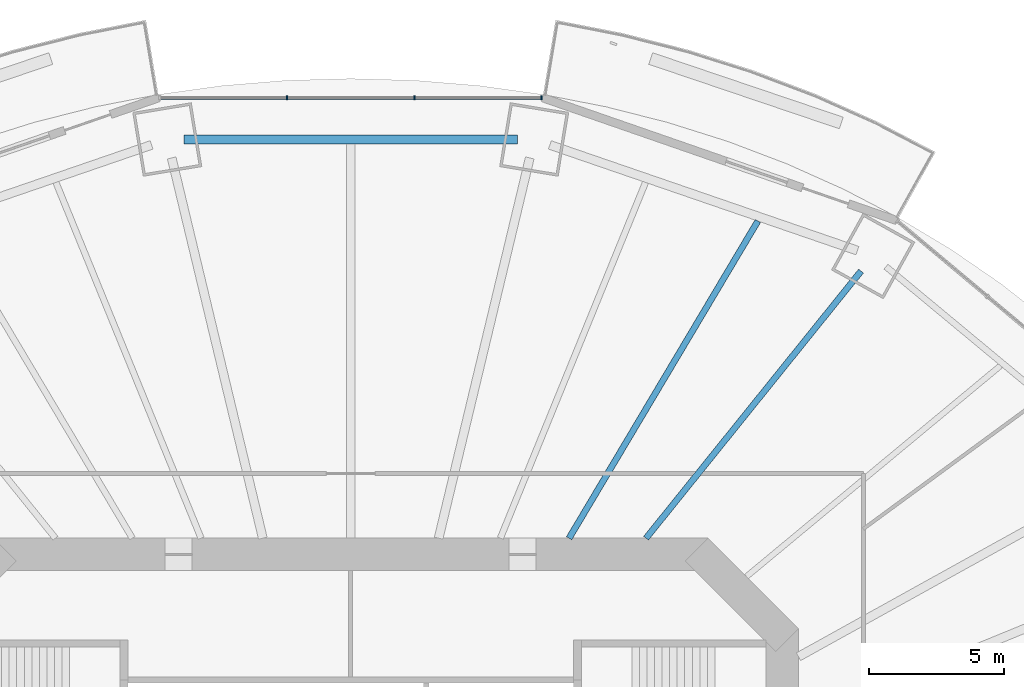
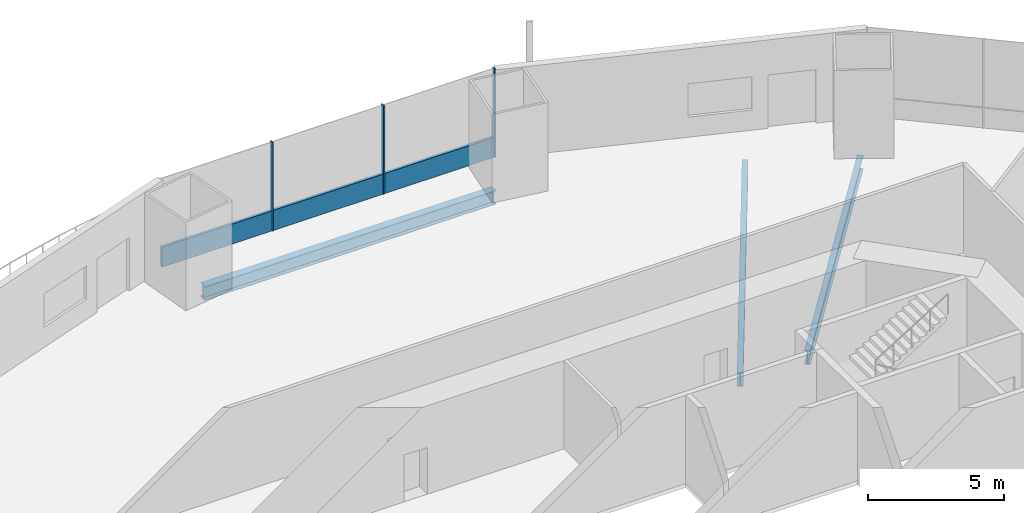
# One storey, part 9 of 23: 4 members, 3 beams, 1 element without a shape of its own.
"""IFC4 building model written with IfcOpenShell, lengths in metres."""

from ifc_helpers import new_model, si_unit, direction, frame, origin, origin_2d, place, context, subcontext, project, spatial, rectangle, i_section, extrude, material, material_profile, profile_set, type_object, element, aggregate, save


model = new_model("IFC4")

# Units and contexts
model_context = context("Model", 3, precision=1e-05, world=origin(), true_north=direction((0.0, 1.0)))
body_context = subcontext(model_context, "Body", "Model", "MODEL_VIEW")
ifc_project = project(units=[si_unit("LENGTHUNIT", "METRE"), si_unit("AREAUNIT", "SQUARE_METRE"), si_unit("VOLUMEUNIT", "CUBIC_METRE"), si_unit("PLANEANGLEUNIT", "RADIAN"), si_unit("MASSUNIT", "GRAM", prefix="KILO")], contexts=[model_context])

# Site, building, storey
site_placement = place(None, origin())
site = spatial("IfcSite", under=ifc_project, at=site_placement, CompositionType="ELEMENT")
building_placement = place(site_placement, origin())
building = spatial("IfcBuilding", under=site, at=building_placement, Name="Marenthal Gate Tower", CompositionType="ELEMENT")
storey_placement = place(building_placement, frame((0.0, 0.0, 45.449951171875)))
storey = spatial("IfcBuildingStorey", under=building, at=storey_placement, Name="L07", CompositionType="ELEMENT", Elevation=45.449951171875)

# Curtain wall, members
ifc_material_1 = material(Name="Aluminium and glass", Category="aluminium")
curtain_wall_type = type_object("IfcCurtainWallType", Name="Curtain wall typical low", PredefinedType="NOTDEFINED", material=ifc_material_1)
curtain_wall_placement = place(storey_placement, origin())
curtain_wall = element("IfcCurtainWall", 1, at=curtain_wall_placement, inside=storey, type_object=curtain_wall_type, Name="Curtain wall L07 bay 4", PredefinedType="NOTDEFINED")
ifc_material_2 = material(Name="Aluminium", Category="aluminium")
ifc_material_profile_1 = material_profile(ifc_material_2, rectangle(XDim=0.159912109375, YDim=0.06005859375, at=origin_2d()), Name="60x160 aluminium mullion")
ifc_profile_set_1 = profile_set([ifc_material_profile_1], Name="Aluminium")
member_type_1 = type_object("IfcMemberType", Name="Mullion 60x160 typical low", PredefinedType="MULLION", material=ifc_profile_set_1)
member_1_placement = place(storey_placement, frame((7.07861328125, 29.9287109375, 0.0), z_axis=(0.0, 0.0, 1.0), x_axis=(0.0, -1.0, 0.0)))
member_1 = element("IfcMember", 2, at=member_1_placement, type_object=member_type_1, Name="Mullion L07 bay 4.1", PredefinedType="MULLION", context=body_context, shape_type="SweptSolid", body=[
    extrude(rectangle(XDim=0.159912109375, YDim=0.06005859375, at=origin_2d()), origin(), (0.0, 0.0, 1.0), 3.969970703125),
])
member_2_placement = place(storey_placement, frame((2.359619140625, 29.9287109375, 0.0), z_axis=(0.0, 0.0, 1.0), x_axis=(0.0, -1.0, 0.0)))
member_2 = element("IfcMember", 3, at=member_2_placement, type_object=member_type_1, Name="Mullion L07 bay 4.2", PredefinedType="MULLION", context=body_context, shape_type="SweptSolid", body=[
    extrude(rectangle(XDim=0.159912109375, YDim=0.06005859375, at=origin_2d()), origin(), (0.0, 0.0, 1.0), 3.969970703125),
])
member_3_placement = place(storey_placement, frame((-2.359619140625, 29.9287109375, 0.0), z_axis=(0.0, 0.0, 1.0), x_axis=(0.0, -1.0, 0.0)))
member_3 = element("IfcMember", 4, at=member_3_placement, type_object=member_type_1, Name="Mullion L07 bay 4.3", PredefinedType="MULLION", context=body_context, shape_type="SweptSolid", body=[
    extrude(rectangle(XDim=0.159912109375, YDim=0.06005859375, at=origin_2d()), origin(), (0.0, 0.0, 1.0), 3.969970703125),
])
ifc_material_3 = material(Name="Aluminium", Category="aluminium")
ifc_material_profile_2 = material_profile(ifc_material_3, rectangle(XDim=0.1201171875, YDim=0.89990234375, at=origin_2d()), Name="120x900 aluminium transom")
ifc_profile_set_2 = profile_set([ifc_material_profile_2], Name="Aluminium")
member_type_2 = type_object("IfcMemberType", Name="Transom 120x900 typical low", PredefinedType="USERDEFINED", material=ifc_profile_set_2)
member_4_placement = place(storey_placement, frame((7.048583984375, 29.9287109375, 0.449951171875), z_axis=(-1.0, 0.0, 0.0), x_axis=(0.0, -1.0, 0.0)))
member_4 = element("IfcMember", 5, at=member_4_placement, type_object=member_type_2, Name="Transom L07 bay 4", ObjectType="TRANSOM", PredefinedType="USERDEFINED", context=body_context, shape_type="SweptSolid", body=[
    extrude(rectangle(XDim=0.1201171875, YDim=0.89990234375, at=origin_2d()), origin(), (0.0, 0.0, 1.0), 14.09716796875),
])
aggregate(curtain_wall, [member_1, member_2, member_3, member_4])

# Beams
ifc_material_4 = material(Name="Steel S355", Category="steel")
ifc_material_profile_3 = material_profile(ifc_material_4, i_section(OverallWidth=0.22900390625, OverallDepth=0.612060546875, WebThickness=0.011962890625, FlangeThickness=0.01953125, FilletRadius=0.0126953125, at=origin_2d()), Name="W610X125")
ifc_profile_set_3 = profile_set([ifc_material_profile_3], Name="Steel S355")
beam_type_1 = type_object("IfcBeamType", Name="W610X125 beam", PredefinedType="BEAM", material=ifc_profile_set_3)
beam_1_placement = place(storey_placement, frame((18.916015625, 23.49951171875, -0.48583984375), z_axis=(-0.627042105716, -0.778985364214, 0.0), x_axis=(0.778985364214, -0.627042105716, 0.0)))
element("IfcBeam", 6, at=beam_1_placement, inside=storey, type_object=beam_type_1, Name="BM-L07-03", PredefinedType="BEAM", context=body_context, shape_type="SweptSolid", body=[
    extrude(i_section(OverallWidth=0.22900390625, OverallDepth=0.612060546875, WebThickness=0.011962890625, FlangeThickness=0.01953125, FilletRadius=0.0126953125, at=origin_2d()), origin(), (0.0, 0.0, 1.0), 12.7080078125),
])
beam_2_placement = place(storey_placement, frame((15.0927734375, 25.356201171875, -0.48583984375), z_axis=(-0.511477271469, -0.859296805982, 0.0), x_axis=(0.859296805982, -0.511477271469, 0.0)))
element("IfcBeam", 7, at=beam_2_placement, inside=storey, type_object=beam_type_1, Name="BM-L07-20", PredefinedType="BEAM", context=body_context, shape_type="SweptSolid", body=[
    extrude(i_section(OverallWidth=0.22900390625, OverallDepth=0.612060546875, WebThickness=0.011962890625, FlangeThickness=0.01953125, FilletRadius=0.0126953125, at=origin_2d()), origin(), (0.0, 0.0, 1.0), 13.68115234375),
])
ifc_material_5 = material(Name="Steel S355", Category="steel")
ifc_material_profile_4 = material_profile(ifc_material_5, i_section(OverallWidth=0.324951171875, OverallDepth=0.612060546875, WebThickness=0.0126953125, FlangeThickness=0.01904296875, FilletRadius=0.0126953125, at=origin_2d()), Name="W610X155")
ifc_profile_set_4 = profile_set([ifc_material_profile_4], Name="Steel S355")
beam_type_2 = type_object("IfcBeamType", Name="W610X155 beam", PredefinedType="BEAM", material=ifc_profile_set_4)
beam_3_placement = place(storey_placement, frame((6.185546875, 28.37890625, -0.48583984375), z_axis=(-1.0, 0.0, 0.0), x_axis=(0.0, -1.0, 0.0)))
element("IfcBeam", 8, at=beam_3_placement, inside=storey, type_object=beam_type_2, Name="BM-L07-44", PredefinedType="BEAM", context=body_context, shape_type="SweptSolid", body=[
    extrude(i_section(OverallWidth=0.324951171875, OverallDepth=0.612060546875, WebThickness=0.0126953125, FlangeThickness=0.01904296875, FilletRadius=0.0126953125, at=origin_2d()), origin(), (0.0, 0.0, 1.0), 12.37109375),
])

save(model, "model.ifc")
